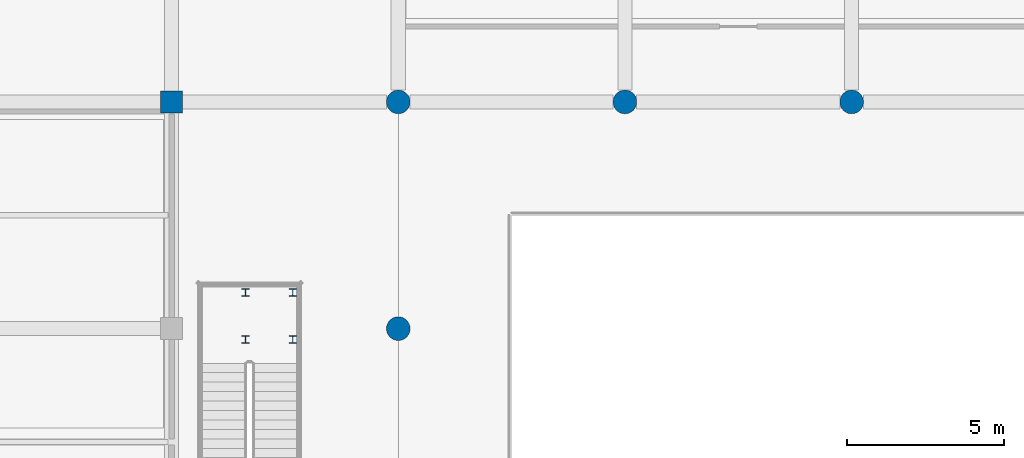
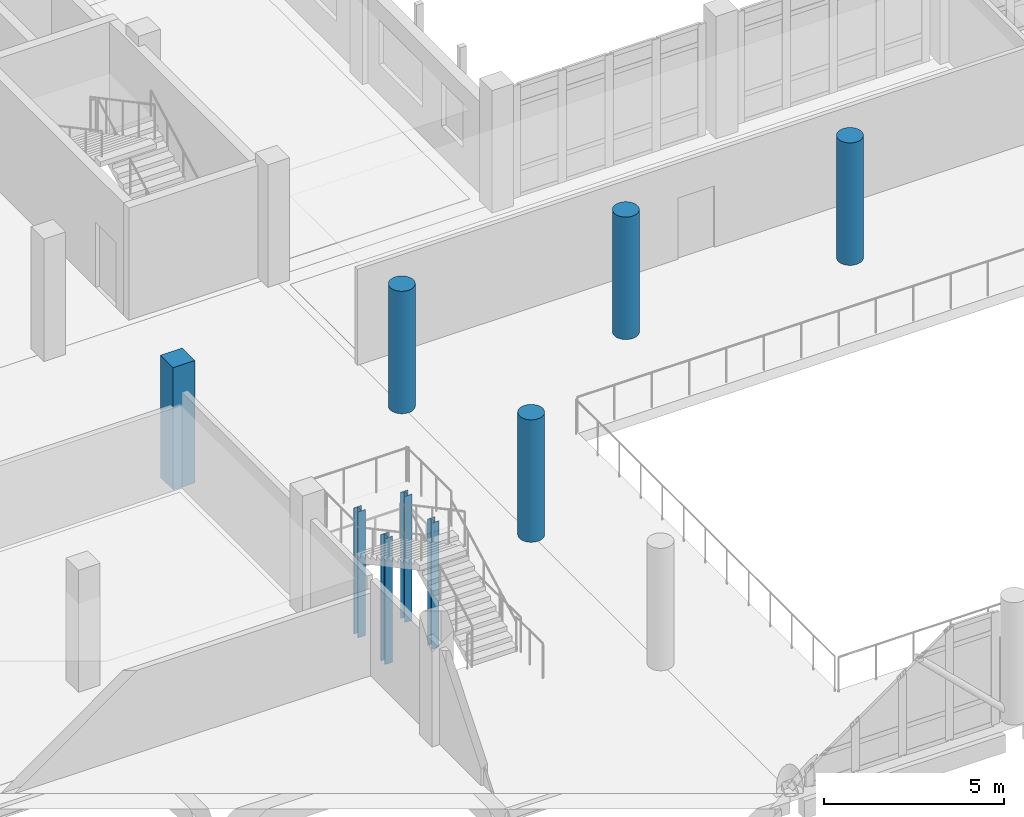
# One storey, part 2 of 57: 9 columns.
"""IFC4 building model written with IfcOpenShell, lengths in metres."""

from ifc_helpers import new_model, si_unit, direction, frame, origin, origin_2d, place, context, subcontext, project, spatial, rectangle, circle, i_section, extrude, material, material_profile, profile_set, type_object, element, save


model = new_model("IFC4")

# Units and contexts
model_context = context("Model", 3, precision=1e-05, world=origin(), true_north=direction((0.0, 1.0)))
body_context = subcontext(model_context, "Body", "Model", "MODEL_VIEW")
ifc_project = project(units=[si_unit("LENGTHUNIT", "METRE"), si_unit("AREAUNIT", "SQUARE_METRE"), si_unit("VOLUMEUNIT", "CUBIC_METRE"), si_unit("PLANEANGLEUNIT", "RADIAN"), si_unit("MASSUNIT", "GRAM", prefix="KILO")], contexts=[model_context])

# Site, building, storey
site_placement = place(None, origin())
site = spatial("IfcSite", under=ifc_project, at=site_placement, CompositionType="ELEMENT")
building_placement = place(site_placement, origin())
building = spatial("IfcBuilding", under=site, at=building_placement, Name="Valkovuoma Quantum and Materials Research Institute", CompositionType="ELEMENT")
storey_placement = place(building_placement, frame((0.0, 0.0, 4.800048828125)))
storey = spatial("IfcBuildingStorey", under=building, at=storey_placement, Name="L01", CompositionType="ELEMENT", Elevation=4.800048828125)

# Columns
ifc_material_1 = material(Name="Concrete C40/50", Category="concrete")
ifc_material_profile_1 = material_profile(ifc_material_1, rectangle(XDim=0.699951171875, YDim=0.699951171875, at=origin_2d()), Name="Concrete C40/50")
ifc_profile_set_1 = profile_set([ifc_material_profile_1], Name="Concrete C40/50")
column_type_1 = type_object("IfcColumnType", Name="Col-C-RC700", PredefinedType="COLUMN", material=ifc_profile_set_1)
column_placement = place(storey_placement, frame((36.0, 57.60009765625, 0.0), z_axis=(0.0, 0.0, 1.0), x_axis=(1.0, 0.0, 0.0)))
element("IfcColumn", 1, at=column_placement, inside=storey, type_object=column_type_1, Name="L01 column 06J", PredefinedType="COLUMN", context=body_context, shape_type="SweptSolid", body=[
    extrude(rectangle(XDim=0.699951171875, YDim=0.699951171875, at=origin_2d()), origin(), (0.0, 0.0, 1.0), 4.159912109375),
])
ifc_material_2 = material(Name="Concrete C50/60", Category="concrete")
ifc_material_profile_2 = material_profile(ifc_material_2, circle(Radius=0.375, at=origin_2d()), Name="Concrete C50/60")
ifc_profile_set_2 = profile_set([ifc_material_profile_2], Name="Concrete C50/60")
column_type_2 = type_object("IfcColumnType", Name="Col-C-RCD750", PredefinedType="COLUMN", material=ifc_profile_set_2)
for number, where, z_axis, x_axis, name in (
    (2, (43.199951171875, 50.39990234375, 0.0), (0.0, 0.0, 1.0), (1.0, 0.0, 0.0), "L01 column 07H"),
    (3, (43.199951171875, 57.60009765625, 0.0), (0.0, 0.0, 1.0), (1.0, 0.0, 0.0), "L01 column 07J"),
    (4, (50.39990234375, 57.60009765625, 0.0), (0.0, 0.0, 1.0), (1.0, 0.0, 0.0), "L01 column 08J"),
    (5, (57.60009765625, 57.60009765625, 0.0), (0.0, 0.0, 1.0), (1.0, 0.0, 0.0), "L01 column 09J"),
):
    element("IfcColumn", number, at=place(storey_placement, frame(where, z_axis=z_axis, x_axis=x_axis)), inside=storey, type_object=column_type_2, Name=name, PredefinedType="COLUMN", context=body_context, shape_type="SweptSolid", body=[
        extrude(circle(Radius=0.375, at=origin_2d()), origin(), (0.0, 0.0, 1.0), 4.159912109375),
    ])
ifc_material_3 = material(Name="Steel S355J2", Category="steel")
ifc_material_profile_3 = material_profile(ifc_material_3, i_section(OverallWidth=0.239990234375, OverallDepth=0.239990234375, WebThickness=0.010009765625, FlangeThickness=0.01708984375, FilletRadius=0.02099609375, at=origin_2d()), Name="Steel S355J2")
ifc_profile_set_3 = profile_set([ifc_material_profile_3], Name="Steel S355J2")
column_type_3 = type_object("IfcColumnType", Name="Col-C-STL240", PredefinedType="COLUMN", material=ifc_profile_set_3)
for number, where, z_axis, x_axis, name in (
    (6, (38.35009765625, 50.050048828125, -2.400146484375), (0.0, 0.0, 1.0), (1.0, 0.0, 0.0), "L01 atrium stair landing column 1"),
    (7, (39.85009765625, 50.050048828125, -2.400146484375), (0.0, 0.0, 1.0), (1.0, 0.0, 0.0), "L01 atrium stair landing column 2"),
    (8, (38.35009765625, 51.550048828125, -2.400146484375), (0.0, 0.0, 1.0), (1.0, 0.0, 0.0), "L01 atrium stair landing column 3"),
    (9, (39.85009765625, 51.550048828125, -2.400146484375), (0.0, 0.0, 1.0), (1.0, 0.0, 0.0), "L01 atrium stair landing column 4"),
):
    element("IfcColumn", number, at=place(storey_placement, frame(where, z_axis=z_axis, x_axis=x_axis)), inside=storey, type_object=column_type_3, Name=name, PredefinedType="COLUMN", context=body_context, shape_type="SweptSolid", body=[
        extrude(i_section(OverallWidth=0.239990234375, OverallDepth=0.239990234375, WebThickness=0.010009765625, FlangeThickness=0.01708984375, FilletRadius=0.02099609375, at=origin_2d()), origin(), (0.0, 0.0, 1.0), 4.280029296875),
    ])

save(model, "model.ifc")
